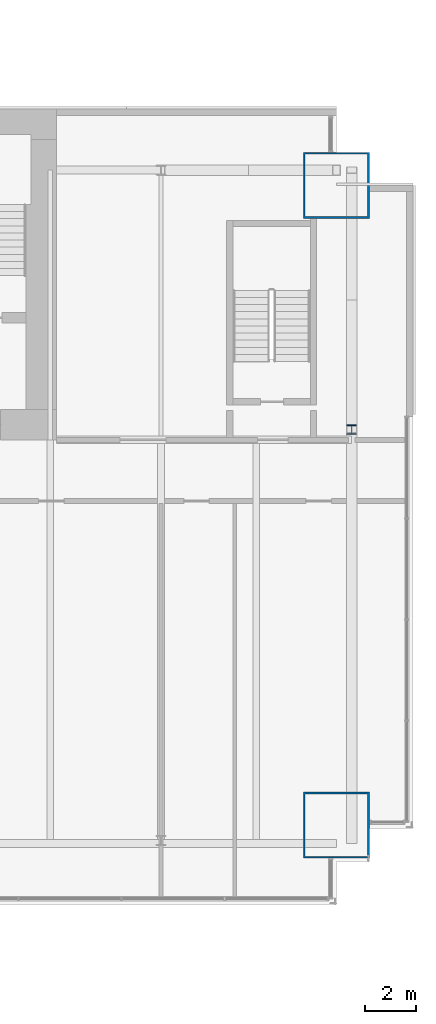
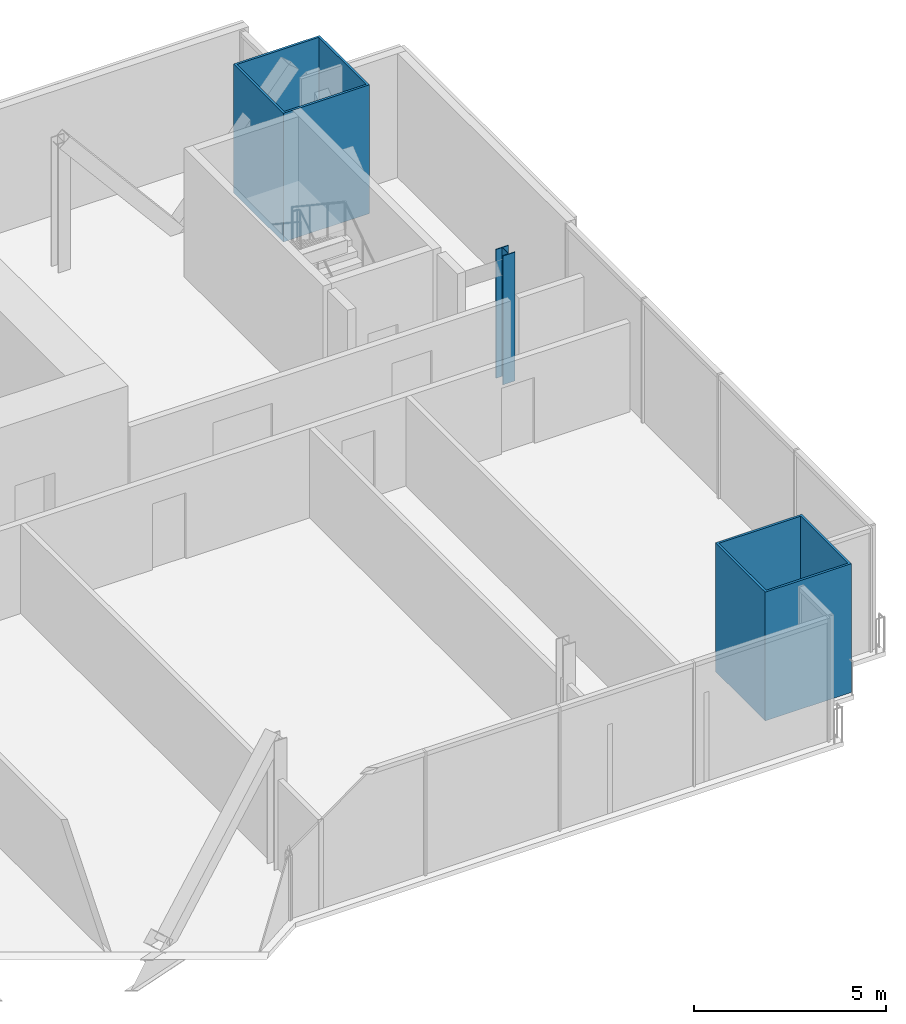
# One storey, part 4 of 20: 3 columns.
"""IFC4 building model written with IfcOpenShell, lengths in metres."""

import ifcopenshell
import ifcopenshell.guid

model = None  # the IFC model being written
_history = None  # IfcOwnerHistory: only IFC2X3 demands one
_inside = {}  # id of a spatial element -> (the spatial element, [elements in it])
_under = {}  # id of a project, library or spatial element -> (it, [spatial elements below it])
_declared = {}  # id of a project -> (the project, [libraries it declares])
_typed = {}  # id of a type object -> (the type object, [elements of that type])
_made_of = {}  # id of a material, layer set ... -> (it, [elements and type objects made of it])


def new_model(schema):
    """Start an empty IFC model of exactly this schema.

    Asked for "IFC4X3", IfcOpenShell would pick the latest addendum, in which some entities
    have other attributes; the version numbers below select the first issue.
    IFC2X3 requires an IfcOwnerHistory on every rooted entity: one is made here for all.
    """
    global model, _history
    if schema == "IFC4X3":
        model = ifcopenshell.file(schema_version=(4, 3, 0, 0))
    else:
        model = ifcopenshell.file(schema=schema)
    _inside.clear()
    _under.clear()
    _declared.clear()
    _typed.clear()
    _made_of.clear()
    _history = None
    if model.schema == "IFC2X3":
        org = make("IfcOrganization", Name="unknown")
        user = make(
            "IfcPersonAndOrganization",
            ThePerson=make("IfcPerson", FamilyName="unknown"),
            TheOrganization=org,
        )
        app = make(
            "IfcApplication",
            ApplicationDeveloper=org,
            Version="unknown",
            ApplicationFullName="unknown",
            ApplicationIdentifier="unknown",
        )
        _history = make(
            "IfcOwnerHistory",
            OwningUser=user,
            OwningApplication=app,
            ChangeAction="ADDED",
            CreationDate=0,
        )
    return model


def make(cls, **values):
    """One entity of the class cls with the attributes given. An attribute that is None is left unset."""
    return model.create_entity(
        cls, **{name: value for name, value in values.items() if value is not None}
    )


def rooted(cls, **values):
    """An entity with a GlobalId (a new one), such as an element, a storey or a relation."""
    return make(cls, GlobalId=ifcopenshell.guid.new(), OwnerHistory=_history, **values)


def si_unit(unit_type, name, prefix=None):
    """IfcSIUnit, for example si_unit("LENGTHUNIT", "METRE", prefix="MILLI")."""
    return make("IfcSIUnit", UnitType=unit_type, Prefix=prefix, Name=name)


def assignment(units):
    """IfcUnitAssignment: the units of a project."""
    return None if units is None else make("IfcUnitAssignment", Units=units)


def point(xyz):
    """IfcCartesianPoint."""
    return None if xyz is None else make("IfcCartesianPoint", Coordinates=xyz)


def direction(xyz):
    """IfcDirection."""
    return None if xyz is None else make("IfcDirection", DirectionRatios=xyz)


def frame(location, z_axis=None, x_axis=None):
    """IfcAxis2Placement3D, a coordinate frame: its origin and axes. An axis left out is left unset."""
    return make(
        "IfcAxis2Placement3D",
        Location=point(location),
        Axis=direction(z_axis),
        RefDirection=direction(x_axis),
    )


def frame_2d(location, x_axis=None):
    """IfcAxis2Placement2D, a coordinate frame in the plane: its origin and x axis."""
    return make(
        "IfcAxis2Placement2D", Location=point(location), RefDirection=direction(x_axis)
    )


def origin():
    """The frame at (0, 0, 0) with its axes left unset."""
    return frame((0.0, 0.0, 0.0))


def origin_2d():
    """The frame at (0, 0) in the plane with its x axis left unset."""
    return frame_2d((0.0, 0.0))


def place(relative_to, where):
    """IfcLocalPlacement: puts the frame where relative to a parent placement (None: the world)."""
    return make(
        "IfcLocalPlacement", PlacementRelTo=relative_to, RelativePlacement=where
    )


def context(
    kind, dimensions, precision=None, world=None, true_north=None, identifier=None
):
    """IfcGeometricRepresentationContext, for example the 3D "Model" context."""
    return make(
        "IfcGeometricRepresentationContext",
        ContextIdentifier=identifier,
        ContextType=kind,
        CoordinateSpaceDimension=dimensions,
        Precision=precision,
        WorldCoordinateSystem=world,
        TrueNorth=true_north,
    )


def subcontext(parent, identifier, kind, view, scale=None):
    """IfcGeometricRepresentationSubContext, for example "Body" below "Model"."""
    return make(
        "IfcGeometricRepresentationSubContext",
        ContextIdentifier=identifier,
        ContextType=kind,
        ParentContext=parent,
        TargetScale=scale,
        TargetView=view,
    )


def project(units=None, contexts=None):
    """IfcProject with its units and contexts."""
    return rooted(
        "IfcProject",
        Name="project",
        RepresentationContexts=contexts,
        UnitsInContext=assignment(units),
    )


def spatial(cls, under=None, at=None, **own):
    """A site, building, storey or space (cls), placed at a placement, below another one or the project."""
    s = rooted(cls, ObjectPlacement=at, **own)
    if under is not None:
        _under.setdefault(under.id(), (under, []))[1].append(s)
    return s


def profile(cls, at=None, kind="AREA", **sizes):
    """A parametric profile (cls). Its sizes go by their IFC names, for example OverallWidth=200.0."""
    return make(cls, ProfileType=kind, Position=at, **sizes)


def hollow_rectangle(**sizes):
    """IfcRectangleHollowProfileDef."""
    return profile("IfcRectangleHollowProfileDef", **sizes)


def i_section(**sizes):
    """IfcIShapeProfileDef."""
    return profile("IfcIShapeProfileDef", **sizes)


def extrude(swept, where, along, depth):
    """IfcExtrudedAreaSolid: the profile swept, set in the frame where, extruded along a direction by depth."""
    return make(
        "IfcExtrudedAreaSolid",
        SweptArea=swept,
        Position=where,
        ExtrudedDirection=direction(along),
        Depth=depth,
    )


def shape(context_of_items, identifier, shape_type, items):
    """IfcShapeRepresentation: the items that make up one representation, for example the "Body"."""
    return make(
        "IfcShapeRepresentation",
        ContextOfItems=context_of_items,
        RepresentationIdentifier=identifier,
        RepresentationType=shape_type,
        Items=items,
    )


def material(Name=None, Category=None):
    """IfcMaterial."""
    return make("IfcMaterial", Name=Name, Category=Category)


def material_profile(
    of_material, cross_section, Name=None, Category=None, Priority=None
):
    """IfcMaterialProfile: a cross section and its material."""
    return make(
        "IfcMaterialProfile",
        Name=Name,
        Material=of_material,
        Profile=cross_section,
        Priority=Priority,
        Category=Category,
    )


def profile_set(profiles, Name=None, composite=None):
    """IfcMaterialProfileSet."""
    return make(
        "IfcMaterialProfileSet",
        Name=Name,
        MaterialProfiles=profiles,
        CompositeProfile=composite,
    )


def made_of(thing, what):
    """Note that an element or type object is made of a material, layer set ...; save() writes the relation."""
    if what is not None:
        _made_of.setdefault(what.id(), (what, []))[1].append(thing)
    return thing


def type_object(cls, material=None, **own):
    """A type object (cls), such as IfcWallType, which elements share."""
    return made_of(rooted(cls, **own), material)


def element(
    cls,
    number,
    at=None,
    inside=None,
    cuts=None,
    type_object=None,
    material=None,
    context=None,
    identifier="Body",
    shape_type=None,
    held_by="IfcProductDefinitionShape",
    body=None,
    shapes=None,
    **own,
):
    """One element of the class cls, such as IfcWall. Its Tag is "e" and its number.

    at: its placement. inside: the storey or other place that contains it. cuts: it is an
    opening in that element (IfcRelVoidsElement). A single representation is given by context,
    identifier, shape_type and body (its items); several are given by shapes. held_by: the class
    of the entity that holds the representations. save() writes the other relations.
    """
    e = rooted(cls, Tag="e%d" % number, ObjectPlacement=at, **own)
    if body is not None:
        shapes = [shape(context, identifier, shape_type, body)]
    if shapes is not None:
        e.Representation = make(held_by, Representations=shapes)
    if inside is not None:
        _inside.setdefault(inside.id(), (inside, []))[1].append(e)
    if cuts is not None:
        rooted(
            "IfcRelVoidsElement", RelatingBuildingElement=cuts, RelatedOpeningElement=e
        )
    if type_object is not None:
        _typed.setdefault(type_object.id(), (type_object, []))[1].append(e)
    return made_of(e, material)


def aggregate(whole, parts):
    """IfcRelAggregates: a whole, such as a stair, and the parts it consists of."""
    return rooted("IfcRelAggregates", RelatingObject=whole, RelatedObjects=parts)


def save(model, path):
    """Write the relations noted so far, then the file.

    IfcRelAggregates (storeys below a building ...), IfcRelContainedInSpatialStructure (elements
    in a storey), IfcRelDefinesByType, IfcRelAssociatesMaterial and IfcRelDeclares: one each for
    every whole, place, type object, material and project.
    """
    for whole, parts in _under.values():
        aggregate(whole, parts)
    for where, things in _inside.values():
        rooted(
            "IfcRelContainedInSpatialStructure",
            RelatedElements=things,
            RelatingStructure=where,
        )
    for kind, things in _typed.values():
        rooted("IfcRelDefinesByType", RelatedObjects=things, RelatingType=kind)
    for what, things in _made_of.values():
        rooted("IfcRelAssociatesMaterial", RelatedObjects=things, RelatingMaterial=what)
    for by, libraries in _declared.values():
        rooted("IfcRelDeclares", RelatingContext=by, RelatedDefinitions=libraries)
    model.write(path)


model = new_model("IFC4")

# Units and contexts
model_context = context("Model", 3, precision=1e-05, world=origin(), true_north=direction((0.0, 1.0)))
body_context = subcontext(model_context, "Body", "Model", "MODEL_VIEW")
ifc_project = project(units=[si_unit("LENGTHUNIT", "METRE"), si_unit("AREAUNIT", "SQUARE_METRE"), si_unit("VOLUMEUNIT", "CUBIC_METRE"), si_unit("PLANEANGLEUNIT", "RADIAN"), si_unit("MASSUNIT", "GRAM", prefix="KILO")], contexts=[model_context])

# Site, building, storey
site_placement = place(None, origin())
site = spatial("IfcSite", under=ifc_project, at=site_placement, CompositionType="ELEMENT")
building_placement = place(site_placement, origin())
building = spatial("IfcBuilding", under=site, at=building_placement, Name="Bicima Exchange Tower", CompositionType="ELEMENT")
storey_placement = place(building_placement, frame((0.0, 0.0, 223.699951171875)))
storey = spatial("IfcBuildingStorey", under=building, at=storey_placement, Name="L50", CompositionType="ELEMENT", Elevation=223.699951171875)

# Columns
ifc_material_1 = material(Name="Steel ASTM A572 Gr 50", Category="steel")
ifc_material_profile_1 = material_profile(ifc_material_1, hollow_rectangle(XDim=2.60009765625, YDim=2.60009765625, WallThickness=0.070068359375, at=origin_2d()))
ifc_profile_set_1 = profile_set([ifc_material_profile_1], Name="Steel ASTM A572 Gr 50")
column_type_1 = type_object("IfcColumnType", Name="Mega column BOX 2600x2600x70", PredefinedType="COLUMN", material=ifc_profile_set_1)
for number, where, z_axis, x_axis, name in (
    (1, (33.0, -28.14208984375, 0.0), (0.0, 0.0, 1.0), (1.0, 0.0, 0.0), "Mega column mega+33.0f"),
    (2, (33.0, -3.0, 0.0), (0.0, 0.0, 1.0), (1.0, 0.0, 0.0), "Mega column mega+33.0r"),
):
    element("IfcColumn", number, at=place(storey_placement, frame(where, z_axis=z_axis, x_axis=x_axis)), inside=storey, type_object=column_type_1, Name=name, PredefinedType="COLUMN", context=body_context, shape_type="SweptSolid", body=[
        extrude(hollow_rectangle(XDim=2.60009765625, YDim=2.60009765625, WallThickness=0.070068359375, at=origin_2d()), origin(), (0.0, 0.0, 1.0), 4.10009765625),
    ])
ifc_material_2 = material(Name="Steel ASTM A992 Gr 50", Category="steel")
ifc_material_profile_2 = material_profile(ifc_material_2, i_section(OverallWidth=0.373291015625, OverallDepth=0.373291015625, WebThickness=0.016357421875, FlangeThickness=0.026123046875, at=origin_2d()))
ifc_profile_set_2 = profile_set([ifc_material_profile_2], Name="Steel ASTM A992 Gr 50")
column_type_2 = type_object("IfcColumnType", Name="Perimeter column W14x132", PredefinedType="COLUMN", material=ifc_profile_set_2)
column_placement = place(storey_placement, frame((33.60009765625, -12.60009765625, 0.0), z_axis=(0.0, 0.0, 1.0), x_axis=(1.0, 0.0, 0.0)))
element("IfcColumn", 3, at=column_placement, inside=storey, type_object=column_type_2, Name="End column end+33.6e", PredefinedType="COLUMN", context=body_context, shape_type="SweptSolid", body=[
    extrude(i_section(OverallWidth=0.373291015625, OverallDepth=0.373291015625, WebThickness=0.016357421875, FlangeThickness=0.026123046875, at=origin_2d()), origin(), (0.0, 0.0, 1.0), 4.10009765625),
])

save(model, "model.ifc")
